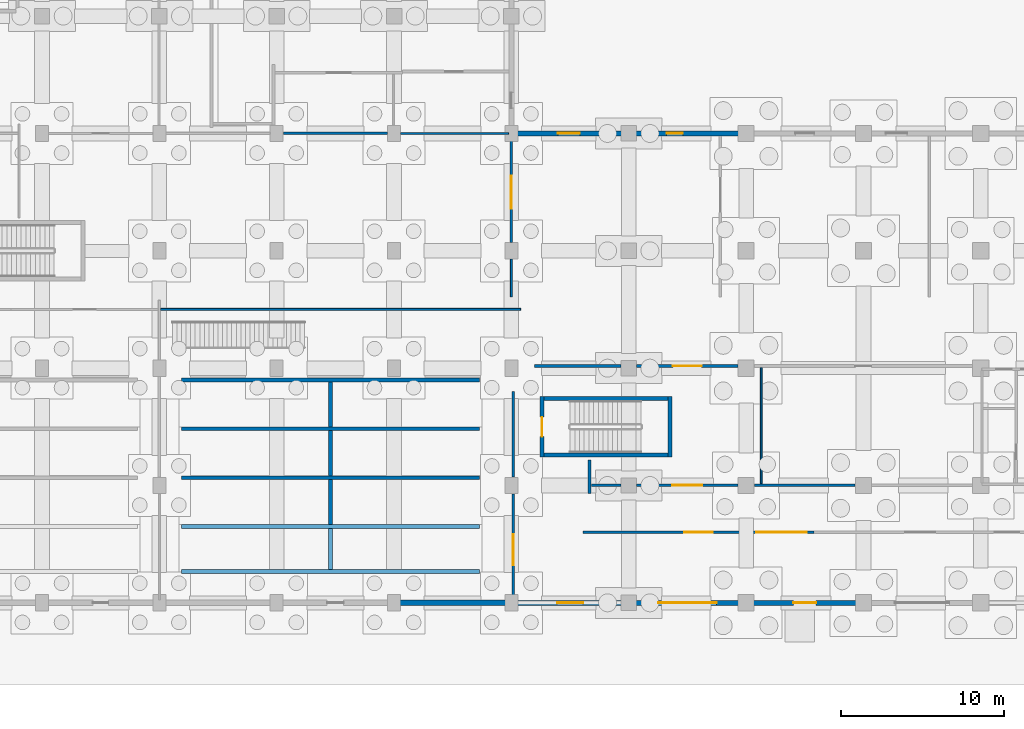
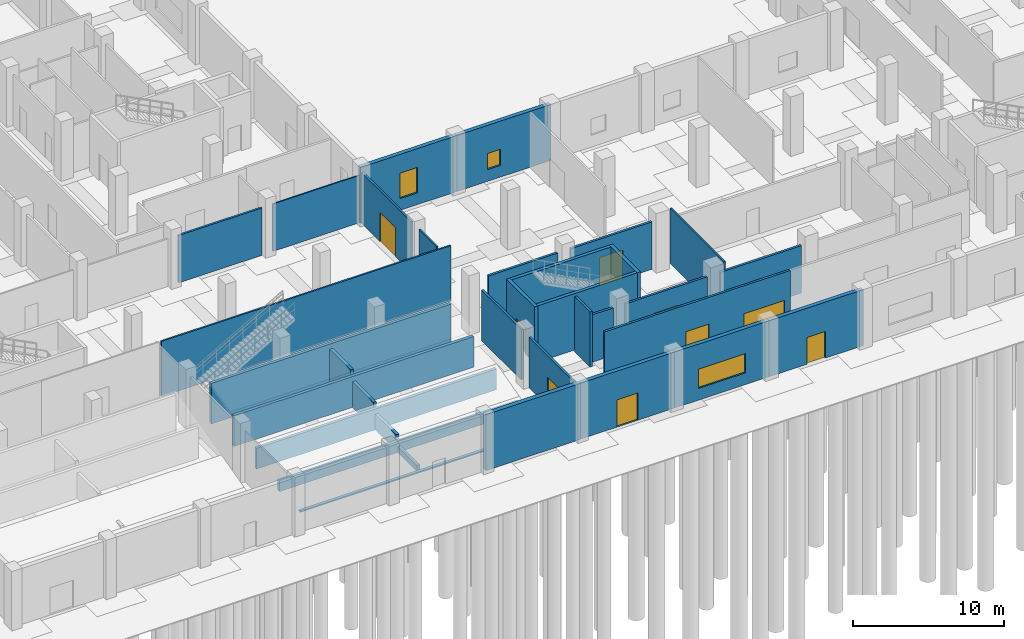
# One storey, part 19 of 48: 34 walls, 8 doors, 4 windows, 12 openings.
"""IFC4 building model written with IfcOpenShell, lengths in metres."""

from ifc_helpers import new_model, si_unit, direction, frame, frame_2d, origin, place, context, subcontext, project, spatial, rectangle, extrude, material, layer, layer_set, type_object, element, fill, save


model = new_model("IFC4")

# Units and contexts
model_context = context("Model", 3, precision=1e-05, world=origin(), true_north=direction((0.0, 1.0)))
body_context = subcontext(model_context, "Body", "Model", "MODEL_VIEW")
ifc_project = project(units=[si_unit("LENGTHUNIT", "METRE"), si_unit("AREAUNIT", "SQUARE_METRE"), si_unit("VOLUMEUNIT", "CUBIC_METRE"), si_unit("PLANEANGLEUNIT", "RADIAN"), si_unit("MASSUNIT", "GRAM", prefix="KILO")], contexts=[model_context])

# Site, building, storey
site_placement = place(None, origin())
site = spatial("IfcSite", under=ifc_project, at=site_placement, CompositionType="ELEMENT")
building_placement = place(site_placement, origin())
building = spatial("IfcBuilding", under=site, at=building_placement, Name="Seraya Terrace Polytechnic", CompositionType="ELEMENT")
storey_placement = place(building_placement, origin())
storey = spatial("IfcBuildingStorey", under=building, at=storey_placement, Name="L00", CompositionType="ELEMENT", Elevation=0.0)

# Wall, opening, door
ifc_material_1 = material(Name="Concrete C40/50", Category="concrete")
ifc_layer_1 = layer(ifc_material_1, 0.300048828125, Name="EW-01")
ifc_layer_set_1 = layer_set([ifc_layer_1], Name="Concrete C40/50")
wall_type_1 = type_object("IfcWallType", Name="EW-01", PredefinedType="SOLIDWALL", material=ifc_layer_set_1)
wall_1_placement = place(storey_placement, frame((64.800048828125, 0.0, 0.0), z_axis=(0.0, 0.0, 1.0), x_axis=(-1.0, 0.0, 0.0)))
wall_1 = element("IfcWall", 1, at=wall_1_placement, inside=storey, type_object=wall_type_1, Name="Exterior structural wall EW-01 L00", PredefinedType="SOLIDWALL", context=body_context, shape_type="SweptSolid", body=[
    extrude(rectangle(XDim=7.199951171875, YDim=0.300048828125, at=frame_2d((3.60009765625, 0.0))), origin(), (0.0, 0.0, 1.0), 4.52001953125),
])
opening_1_placement = place(wall_1_placement, frame((2.89990234375, 0.0, 0.0)))
opening_1 = element("IfcOpeningElement", 2, at=opening_1_placement, cuts=wall_1, Name="Opening ED-05", PredefinedType="OPENING", context=body_context, shape_type="SweptSolid", body=[
    extrude(rectangle(XDim=1.39990234375, YDim=2.14990234375, at=frame_2d((0.699951171875, 1.074951171875))), frame((0.0, 0.162109375, 0.0), z_axis=(0.0, -1.0, 0.0), x_axis=(1.0, 0.0, 0.0)), (0.0, 0.0, 1.0), 0.323974609375),
])
ifc_material_2 = material(Name="Anodised aluminium EN AW-6063 T6", Category="aluminium")
door_type_1 = type_object("IfcDoorType", Name="ED-05", OperationType="DOUBLE_DOOR_SINGLE_SWING", PredefinedType="DOOR", material=ifc_material_2)
door_1_placement = place(opening_1_placement, origin())
door_1 = element("IfcDoor", 3, at=door_1_placement, inside=storey, type_object=door_type_1, Name="Door ED-05 DR-EXIT-L00-029 in WL-EXT-L00-08-14", OperationType="DOUBLE_DOOR_SINGLE_SWING", OverallHeight=2.14990234375, OverallWidth=1.39990234375, PredefinedType="DOOR", context=body_context, shape_type="SweptSolid", body=[
    extrude(rectangle(XDim=1.39990234375, YDim=2.14990234375, at=frame_2d((0.699951171875, 1.074951171875))), frame((0.0, 0.02490234375, 0.0), z_axis=(0.0, -1.0, 0.0), x_axis=(1.0, 0.0, 0.0)), (0.0, 0.0, 1.0), 0.050048828125),
])
fill(opening_1, door_1)

# Wall, opening, window
wall_2_placement = place(storey_placement, frame((57.60009765625, 0.0, 0.0), z_axis=(0.0, 0.0, 1.0), x_axis=(-1.0, 0.0, 0.0)))
wall_2 = element("IfcWall", 4, at=wall_2_placement, inside=storey, type_object=wall_type_1, Name="Exterior structural wall EW-01 L00", PredefinedType="SOLIDWALL", context=body_context, shape_type="SweptSolid", body=[
    extrude(rectangle(XDim=7.2001953125, YDim=0.300048828125, at=frame_2d((3.60009765625, 0.0))), origin(), (0.0, 0.0, 1.0), 4.52001953125),
])
opening_2_placement = place(wall_2_placement, frame((1.800048828125, 0.0, 0.949951171875)))
opening_2 = element("IfcOpeningElement", 5, at=opening_2_placement, cuts=wall_2, Name="Opening WN-26", PredefinedType="OPENING", context=body_context, shape_type="SweptSolid", body=[
    extrude(rectangle(XDim=3.60009765625, YDim=1.550048828125, at=frame_2d((1.800048828125, 0.77490234375))), frame((0.0, 0.162109375, 0.0), z_axis=(0.0, -1.0, 0.0), x_axis=(1.0, 0.0, 0.0)), (0.0, 0.0, 1.0), 0.323974609375),
])
ifc_material_3 = material(Name="Laminated solar-control Low-E double glazing", Category="glass")
window_type_1 = type_object("IfcWindowType", Name="WN-26", PartitioningType="SINGLE_PANEL", PredefinedType="WINDOW", material=ifc_material_3)
window_1_placement = place(opening_2_placement, origin())
window_1 = element("IfcWindow", 6, at=window_1_placement, inside=storey, type_object=window_type_1, Name="Exterior window WN-26 L00", OverallHeight=1.550048828125, OverallWidth=3.60009765625, PartitioningType="SINGLE_PANEL", PredefinedType="WINDOW", context=body_context, shape_type="SweptSolid", body=[
    extrude(rectangle(XDim=3.60009765625, YDim=1.550048828125, at=frame_2d((1.800048828125, 0.77490234375))), frame((0.0, 0.030029296875, 0.0), z_axis=(0.0, -1.0, 0.0), x_axis=(1.0, 0.0, 0.0)), (0.0, 0.0, 1.0), 0.06005859375),
])
fill(opening_2, window_1)

# Wall, opening, door
wall_3_placement = place(storey_placement, frame((50.39990234375, 0.0, 0.0), z_axis=(0.0, 0.0, 1.0), x_axis=(-1.0, 0.0, 0.0)))
wall_3 = element("IfcWall", 7, at=wall_3_placement, inside=storey, type_object=wall_type_1, Name="Exterior structural wall EW-01 L00", PredefinedType="SOLIDWALL", context=body_context, shape_type="SweptSolid", body=[
    extrude(rectangle(XDim=7.199951171875, YDim=0.300048828125, at=frame_2d((3.60009765625, 0.0))), origin(), (0.0, 0.0, 1.0), 4.52001953125),
])
opening_3_placement = place(wall_3_placement, frame((2.800048828125, 0.0, 0.0)))
opening_3 = element("IfcOpeningElement", 8, at=opening_3_placement, cuts=wall_3, Name="Opening ED-03", PredefinedType="OPENING", context=body_context, shape_type="SweptSolid", body=[
    extrude(rectangle(XDim=1.60009765625, YDim=2.199951171875, at=frame_2d((0.800048828125, 1.10009765625))), frame((0.0, 0.162109375, 0.0), z_axis=(0.0, -1.0, 0.0), x_axis=(1.0, 0.0, 0.0)), (0.0, 0.0, 1.0), 0.323974609375),
])
door_type_2 = type_object("IfcDoorType", Name="ED-03", OperationType="DOUBLE_DOOR_SINGLE_SWING", PredefinedType="DOOR", material=ifc_material_2)
door_2_placement = place(opening_3_placement, origin())
door_2 = element("IfcDoor", 9, at=door_2_placement, inside=storey, type_object=door_type_2, Name="Door ED-03 DR-STEXIT-ST-03 in WL-EXT-L00-08-16", OperationType="DOUBLE_DOOR_SINGLE_SWING", OverallHeight=2.199951171875, OverallWidth=1.60009765625, PredefinedType="DOOR", context=body_context, shape_type="SweptSolid", body=[
    extrude(rectangle(XDim=1.60009765625, YDim=2.199951171875, at=frame_2d((0.800048828125, 1.10009765625))), frame((0.0, 0.02490234375, 0.0), z_axis=(0.0, -1.0, 0.0), x_axis=(1.0, 0.0, 0.0)), (0.0, 0.0, 1.0), 0.050048828125),
])
fill(opening_3, door_2)

# Wall, opening, window
wall_4_placement = place(storey_placement, frame((43.050048828125, 28.800048828125, 0.0), z_axis=(0.0, 0.0, 1.0), x_axis=(1.0, 0.0, 0.0)))
wall_4 = element("IfcWall", 10, at=wall_4_placement, inside=storey, type_object=wall_type_1, Name="Exterior structural wall EW-01 L00", PredefinedType="SOLIDWALL", context=body_context, shape_type="SweptSolid", body=[
    extrude(rectangle(XDim=7.349853515625, YDim=0.300048828125, at=frame_2d((3.6748046875, 0.0))), origin(), (0.0, 0.0, 1.0), 4.52001953125),
])
opening_4_placement = place(wall_4_placement, frame((3.0, 0.0, 0.949951171875)))
opening_4 = element("IfcOpeningElement", 11, at=opening_4_placement, cuts=wall_4, Name="Opening WN-38", PredefinedType="OPENING", context=body_context, shape_type="SweptSolid", body=[
    extrude(rectangle(XDim=1.35009765625, YDim=2.050048828125, at=frame_2d((0.675048828125, 1.02490234375))), frame((0.0, 0.162109375, 0.0), z_axis=(0.0, -1.0, 0.0), x_axis=(1.0, 0.0, 0.0)), (0.0, 0.0, 1.0), 0.323974609375),
])
window_type_2 = type_object("IfcWindowType", Name="WN-38", PartitioningType="SINGLE_PANEL", PredefinedType="WINDOW", material=ifc_material_3)
window_2_placement = place(opening_4_placement, origin())
window_2 = element("IfcWindow", 12, at=window_2_placement, inside=storey, type_object=window_type_2, Name="Exterior window WN-38 L00", OverallHeight=2.050048828125, OverallWidth=1.35009765625, PartitioningType="SINGLE_PANEL", PredefinedType="WINDOW", context=body_context, shape_type="SweptSolid", body=[
    extrude(rectangle(XDim=1.35009765625, YDim=2.050048828125, at=frame_2d((0.675048828125, 1.02490234375))), frame((0.0, 0.030029296875, 0.0), z_axis=(0.0, -1.0, 0.0), x_axis=(1.0, 0.0, 0.0)), (0.0, 0.0, 1.0), 0.06005859375),
])
fill(opening_4, window_2)

wall_5_placement = place(storey_placement, frame((50.39990234375, 28.800048828125, 0.0), z_axis=(0.0, 0.0, 1.0), x_axis=(1.0, 0.0, 0.0)))
wall_5 = element("IfcWall", 13, at=wall_5_placement, inside=storey, type_object=wall_type_1, Name="Exterior structural wall EW-01 L00", PredefinedType="SOLIDWALL", context=body_context, shape_type="SweptSolid", body=[
    extrude(rectangle(XDim=7.2001953125, YDim=0.300048828125, at=frame_2d((3.60009765625, 0.0))), origin(), (0.0, 0.0, 1.0), 4.52001953125),
])
opening_5_placement = place(wall_5_placement, frame((2.322265625, 0.0, 0.949951171875)))
opening_5 = element("IfcOpeningElement", 14, at=opening_5_placement, cuts=wall_5, Name="Opening WN-01", PredefinedType="OPENING", context=body_context, shape_type="SweptSolid", body=[
    extrude(rectangle(XDim=1.0, YDim=1.300048828125, at=frame_2d((0.5, 0.64990234375))), frame((0.0, 0.162109375, 0.0), z_axis=(0.0, -1.0, 0.0), x_axis=(1.0, 0.0, 0.0)), (0.0, 0.0, 1.0), 0.323974609375),
])
window_type_3 = type_object("IfcWindowType", Name="WN-01", PartitioningType="SINGLE_PANEL", PredefinedType="WINDOW", material=ifc_material_3)
window_3_placement = place(opening_5_placement, origin())
window_3 = element("IfcWindow", 15, at=window_3_placement, inside=storey, type_object=window_type_3, Name="Exterior window WN-01 L00", OverallHeight=1.300048828125, OverallWidth=1.0, PartitioningType="SINGLE_PANEL", PredefinedType="WINDOW", context=body_context, shape_type="SweptSolid", body=[
    extrude(rectangle(XDim=1.0, YDim=1.300048828125, at=frame_2d((0.5, 0.64990234375))), frame((0.0, 0.030029296875, 0.0), z_axis=(0.0, -1.0, 0.0), x_axis=(1.0, 0.0, 0.0)), (0.0, 0.0, 1.0), 0.06005859375),
])
fill(opening_5, window_3)

# Wall
ifc_layer_2 = layer(ifc_material_1, 0.330078125, Name="EW-06")
ifc_layer_set_2 = layer_set([ifc_layer_2], Name="Concrete C40/50")
wall_type_2 = type_object("IfcWallType", Name="EW-06", PredefinedType="SOLIDWALL", material=ifc_layer_set_2)
wall_6_placement = place(storey_placement, frame((43.199951171875, 0.0, 0.0), z_axis=(0.0, 0.0, 1.0), x_axis=(-1.0, 0.0, 0.0)))
element("IfcWall", 16, at=wall_6_placement, inside=storey, type_object=wall_type_2, Name="Exterior structural wall EW-06 L00", PredefinedType="SOLIDWALL", context=body_context, shape_type="SweptSolid", body=[
    extrude(rectangle(XDim=7.199951171875, YDim=0.330078125, at=frame_2d((3.60009765625, 0.0))), origin(), (0.0, 0.0, 1.0), 4.52001953125),
])

# Wall, opening, door
ifc_material_4 = material(Name="Autoclaved aerated concrete blockwork", Category="masonry")
ifc_layer_3 = layer(ifc_material_4, 0.169921875, Name="PT-02")
ifc_layer_set_3 = layer_set([ifc_layer_3], Name="Autoclaved aerated concrete blockwork")
wall_type_3 = type_object("IfcWallType", Name="PT-02", PredefinedType="PARTITIONING", material=ifc_layer_set_3)
wall_7_placement = place(storey_placement, frame((43.31005859375, 0.162109375, 0.0), z_axis=(0.0, 0.0, 1.0), x_axis=(0.0, 1.0, 0.0)))
wall_7 = element("IfcWall", 17, at=wall_7_placement, inside=storey, type_object=wall_type_3, Name="Internal partition PT-02 L00", PredefinedType="PARTITIONING", context=body_context, shape_type="SweptSolid", body=[
    extrude(rectangle(XDim=6.52783203125, YDim=0.169921875, at=frame_2d((3.263916015625, 0.0))), origin(), (0.0, 0.0, 1.0), 4.080078125),
])
opening_6_placement = place(wall_7_placement, frame((2.1298828125, 0.0, 0.0)))
opening_6 = element("IfcOpeningElement", 18, at=opening_6_placement, cuts=wall_7, Name="Opening ID-16", PredefinedType="OPENING", context=body_context, shape_type="SweptSolid", body=[
    extrude(rectangle(XDim=1.919921875, YDim=2.320068359375, at=frame_2d((0.9599609375, 1.16015625))), frame((0.0, 0.096923828125, 0.0), z_axis=(0.0, -1.0, 0.0), x_axis=(1.0, 0.0, 0.0)), (0.0, 0.0, 1.0), 0.19384765625),
])
ifc_material_5 = material(Name="Malaysian dark red meranti hardwood timber D40", Category="wood")
door_type_3 = type_object("IfcDoorType", Name="ID-16", OperationType="DOUBLE_DOOR_SINGLE_SWING", PredefinedType="DOOR", material=ifc_material_5)
door_3_placement = place(opening_6_placement, frame((1.919921875, 0.0, 0.0), z_axis=(0.0, 0.0, 1.0), x_axis=(-1.0, 0.0, 0.0)))
door_3 = element("IfcDoor", 19, at=door_3_placement, inside=storey, type_object=door_type_3, Name="Door ID-16 DR-INT-L00-0045 in WL-INT-L00-0003", OperationType="DOUBLE_DOOR_SINGLE_SWING", OverallHeight=2.320068359375, OverallWidth=1.919921875, PredefinedType="DOOR", context=body_context, shape_type="SweptSolid", body=[
    extrude(rectangle(XDim=1.919921875, YDim=2.320068359375, at=frame_2d((0.9599609375, 1.16015625))), frame((0.0, 0.02490234375, 0.0), z_axis=(0.0, -1.0, 0.0), x_axis=(1.0, 0.0, 0.0)), (0.0, 0.0, 1.0), 0.050048828125),
])
fill(opening_6, door_3)

# Walls
wall_8_placement = place(storey_placement, frame((43.31005859375, 7.7099609375, 0.0), z_axis=(0.0, 0.0, 1.0), x_axis=(0.0, 1.0, 0.0)))
element("IfcWall", 20, at=wall_8_placement, inside=storey, type_object=wall_type_3, Name="Internal partition PT-02 L00", PredefinedType="PARTITIONING", context=body_context, shape_type="SweptSolid", body=[
    extrude(rectangle(XDim=5.25, YDim=0.169921875, at=frame_2d((2.625, 0.0))), origin(), (0.0, 0.0, 1.0), 4.080078125),
])
wall_9_placement = place(storey_placement, frame((48.0, 6.718505859375, 0.0), z_axis=(0.0, 0.0, 1.0), x_axis=(0.0, 1.0, 0.0)))
element("IfcWall", 21, at=wall_9_placement, inside=storey, type_object=wall_type_3, Name="Internal partition PT-02 L00", PredefinedType="PARTITIONING", context=body_context, shape_type="SweptSolid", body=[
    extrude(rectangle(XDim=2.051513671875, YDim=0.169921875, at=frame_2d((1.02587890625, 0.0))), origin(), (0.0, 0.0, 1.0), 4.4599609375),
])

# Wall, opening, door
wall_10_placement = place(storey_placement, frame((50.885009765625, 14.530029296875, 0.0), z_axis=(0.0, 0.0, 1.0), x_axis=(1.0, 0.0, 0.0)))
wall_10 = element("IfcWall", 22, at=wall_10_placement, inside=storey, type_object=wall_type_3, Name="Internal partition PT-02 L00", PredefinedType="PARTITIONING", context=body_context, shape_type="SweptSolid", body=[
    extrude(rectangle(XDim=6.205078125, YDim=0.169921875, at=frame_2d((3.1025390625, 0.0))), origin(), (0.0, 0.0, 1.0), 3.830078125),
])
opening_7_placement = place(wall_10_placement, frame((2.222412109375, 0.0, 0.0)))
opening_7 = element("IfcOpeningElement", 23, at=opening_7_placement, cuts=wall_10, Name="Opening ID-14", PredefinedType="OPENING", context=body_context, shape_type="SweptSolid", body=[
    extrude(rectangle(XDim=1.760009765625, YDim=2.300048828125, at=frame_2d((0.8798828125, 1.14990234375))), frame((0.0, 0.096923828125, 0.0), z_axis=(0.0, -1.0, 0.0), x_axis=(1.0, 0.0, 0.0)), (0.0, 0.0, 1.0), 0.19384765625),
])
door_type_4 = type_object("IfcDoorType", Name="ID-14", OperationType="DOUBLE_DOOR_SINGLE_SWING", PredefinedType="DOOR", material=ifc_material_5)
door_4_placement = place(opening_7_placement, frame((1.760009765625, 0.0, 0.0), z_axis=(0.0, 0.0, 1.0), x_axis=(-1.0, 0.0, 0.0)))
door_4 = element("IfcDoor", 24, at=door_4_placement, inside=storey, type_object=door_type_4, Name="Door ID-14 DR-INT-L00-0043 in WL-INT-L00-0041", OperationType="DOUBLE_DOOR_SINGLE_SWING", OverallHeight=2.300048828125, OverallWidth=1.760009765625, PredefinedType="DOOR", context=body_context, shape_type="SweptSolid", body=[
    extrude(rectangle(XDim=1.760009765625, YDim=2.300048828125, at=frame_2d((0.8798828125, 1.14990234375))), frame((0.0, 0.02490234375, 0.0), z_axis=(0.0, -1.0, 0.0), x_axis=(1.0, 0.0, 0.0)), (0.0, 0.0, 1.0), 0.050048828125),
])
fill(opening_7, door_4)

# Wall
wall_11_placement = place(storey_placement, frame((44.6298828125, 14.530029296875, 0.0), z_axis=(0.0, 0.0, 1.0), x_axis=(1.0, 0.0, 0.0)))
element("IfcWall", 25, at=wall_11_placement, inside=storey, type_object=wall_type_3, Name="Internal partition PT-02 L00", PredefinedType="PARTITIONING", context=body_context, shape_type="SweptSolid", body=[
    extrude(rectangle(XDim=5.28515625, YDim=0.169921875, at=frame_2d((2.642578125, 0.0))), origin(), (0.0, 0.0, 1.0), 3.830078125),
])

# Wall, openings, door, window
wall_12_placement = place(storey_placement, frame((47.587890625, 4.330078125, 0.0), z_axis=(0.0, 0.0, 1.0), x_axis=(1.0, 0.0, 0.0)))
wall_12 = element("IfcWall", 26, at=wall_12_placement, inside=storey, type_object=wall_type_3, Name="Internal partition PT-02 L00", PredefinedType="PARTITIONING", context=body_context, shape_type="SweptSolid", body=[
    extrude(rectangle(XDim=14.172119140625, YDim=0.169921875, at=frame_2d((7.0859375, 0.0))), origin(), (0.0, 0.0, 1.0), 4.4599609375),
])
opening_8_placement = place(wall_12_placement, frame((6.2060546875, 0.0, 0.0)))
opening_8 = element("IfcOpeningElement", 27, at=opening_8_placement, cuts=wall_12, Name="Opening ID-14", PredefinedType="OPENING", context=body_context, shape_type="SweptSolid", body=[
    extrude(rectangle(XDim=1.760009765625, YDim=2.300048828125, at=frame_2d((0.8798828125, 1.14990234375))), frame((0.0, 0.096923828125, 0.0), z_axis=(0.0, -1.0, 0.0), x_axis=(1.0, 0.0, 0.0)), (0.0, 0.0, 1.0), 0.19384765625),
])
opening_9_placement = place(wall_12_placement, frame((10.6220703125, 0.0, 1.050048828125)))
opening_9 = element("IfcOpeningElement", 28, at=opening_9_placement, cuts=wall_12, Name="Opening IW-06", PredefinedType="OPENING", context=body_context, shape_type="SweptSolid", body=[
    extrude(rectangle(XDim=3.10009765625, YDim=1.14990234375, at=frame_2d((1.550048828125, 0.574951171875))), frame((0.0, 0.096923828125, 0.0), z_axis=(0.0, -1.0, 0.0), x_axis=(1.0, 0.0, 0.0)), (0.0, 0.0, 1.0), 0.19384765625),
])
door_5_placement = place(opening_8_placement, frame((1.760009765625, 0.0, 0.0), z_axis=(0.0, 0.0, 1.0), x_axis=(-1.0, 0.0, 0.0)))
door_5 = element("IfcDoor", 29, at=door_5_placement, inside=storey, type_object=door_type_4, Name="Door ID-14 DR-INT-L00-0059 in WL-INT-L00-0053", OperationType="DOUBLE_DOOR_SINGLE_SWING", OverallHeight=2.300048828125, OverallWidth=1.760009765625, PredefinedType="DOOR", context=body_context, shape_type="SweptSolid", body=[
    extrude(rectangle(XDim=1.760009765625, YDim=2.300048828125, at=frame_2d((0.8798828125, 1.14990234375))), frame((0.0, 0.02490234375, 0.0), z_axis=(0.0, -1.0, 0.0), x_axis=(1.0, 0.0, 0.0)), (0.0, 0.0, 1.0), 0.050048828125),
])
fill(opening_8, door_5)
window_type_4 = type_object("IfcWindowType", Name="IW-06", PartitioningType="SINGLE_PANEL", PredefinedType="WINDOW", material=ifc_material_3)
window_4_placement = place(opening_9_placement, origin())
window_4 = element("IfcWindow", 30, at=window_4_placement, inside=storey, type_object=window_type_4, Name="Internal lab vision window IW-06 L00", OverallHeight=1.14990234375, OverallWidth=3.10009765625, PartitioningType="SINGLE_PANEL", PredefinedType="WINDOW", context=body_context, shape_type="SweptSolid", body=[
    extrude(rectangle(XDim=3.10009765625, YDim=1.14990234375, at=frame_2d((1.550048828125, 0.574951171875))), frame((0.0, 0.030029296875, 0.0), z_axis=(0.0, -1.0, 0.0), x_axis=(1.0, 0.0, 0.0)), (0.0, 0.0, 1.0), 0.06005859375),
])
fill(opening_9, window_4)

# Wall, opening, door
wall_13_placement = place(storey_placement, frame((50.885009765625, 7.219970703125, 0.0), z_axis=(0.0, 0.0, 1.0), x_axis=(1.0, 0.0, 0.0)))
wall_13 = element("IfcWall", 31, at=wall_13_placement, inside=storey, type_object=wall_type_3, Name="Internal partition PT-02 L00", PredefinedType="PARTITIONING", context=body_context, shape_type="SweptSolid", body=[
    extrude(rectangle(XDim=6.205078125, YDim=0.169921875, at=frame_2d((3.1025390625, 0.0))), origin(), (0.0, 0.0, 1.0), 3.830078125),
])
opening_10_placement = place(wall_13_placement, frame((2.1826171875, 0.0, 0.0)))
opening_10 = element("IfcOpeningElement", 32, at=opening_10_placement, cuts=wall_13, Name="Opening ID-15", PredefinedType="OPENING", context=body_context, shape_type="SweptSolid", body=[
    extrude(rectangle(XDim=1.840087890625, YDim=2.300048828125, at=frame_2d((0.919921875, 1.14990234375))), frame((0.0, 0.096923828125, 0.0), z_axis=(0.0, -1.0, 0.0), x_axis=(1.0, 0.0, 0.0)), (0.0, 0.0, 1.0), 0.19384765625),
])
door_type_5 = type_object("IfcDoorType", Name="ID-15", OperationType="DOUBLE_DOOR_SINGLE_SWING", PredefinedType="DOOR", material=ifc_material_5)
door_6_placement = place(opening_10_placement, origin())
door_6 = element("IfcDoor", 33, at=door_6_placement, inside=storey, type_object=door_type_5, Name="Door ID-15 DR-INT-L00-0044 in WL-INT-L00-0055", OperationType="DOUBLE_DOOR_SINGLE_SWING", OverallHeight=2.300048828125, OverallWidth=1.840087890625, PredefinedType="DOOR", context=body_context, shape_type="SweptSolid", body=[
    extrude(rectangle(XDim=1.840087890625, YDim=2.300048828125, at=frame_2d((0.919921875, 1.14990234375))), frame((0.0, 0.02490234375, 0.0), z_axis=(0.0, -1.0, 0.0), x_axis=(1.0, 0.0, 0.0)), (0.0, 0.0, 1.0), 0.050048828125),
])
fill(opening_10, door_6)

# Walls
wall_14_placement = place(storey_placement, frame((48.10009765625, 7.219970703125, 0.0), z_axis=(0.0, 0.0, 1.0), x_axis=(1.0, 0.0, 0.0)))
element("IfcWall", 34, at=wall_14_placement, inside=storey, type_object=wall_type_3, Name="Internal partition PT-02 L00", PredefinedType="PARTITIONING", context=body_context, shape_type="SweptSolid", body=[
    extrude(rectangle(XDim=1.81494140625, YDim=0.169921875, at=frame_2d((0.907470703125, 0.0))), origin(), (0.0, 0.0, 1.0), 3.830078125),
])
wall_15_placement = place(storey_placement, frame((58.110107421875, 7.21923828125, 0.0), z_axis=(0.0, 0.0, 1.0), x_axis=(1.0, 0.0, 0.0)))
element("IfcWall", 35, at=wall_15_placement, inside=storey, type_object=wall_type_3, Name="Internal partition PT-02 L00", PredefinedType="PARTITIONING", context=body_context, shape_type="SweptSolid", body=[
    extrude(rectangle(XDim=6.179931640625, YDim=0.169921875, at=frame_2d((3.08984375, 0.0))), origin(), (0.0, 0.0, 1.0), 3.830078125),
])

# Wall, opening, door
ifc_layer_4 = layer(ifc_material_4, 0.14990234375, Name="PT-03")
ifc_layer_set_4 = layer_set([ifc_layer_4], Name="Autoclaved aerated concrete blockwork")
wall_type_4 = type_object("IfcWallType", Name="PT-03", PredefinedType="PARTITIONING", material=ifc_layer_set_4)
wall_16_placement = place(storey_placement, frame((43.199951171875, 22.110107421875, 0.0), z_axis=(0.0, 0.0, 1.0), x_axis=(0.0, 1.0, 0.0)))
wall_16 = element("IfcWall", 36, at=wall_16_placement, inside=storey, type_object=wall_type_4, Name="Internal partition PT-03 L00", PredefinedType="PARTITIONING", context=body_context, shape_type="SweptSolid", body=[
    extrude(rectangle(XDim=6.52783203125, YDim=0.14990234375, at=frame_2d((3.263916015625, 0.0))), origin(), (0.0, 0.0, 1.0), 4.080078125),
])
opening_11_placement = place(wall_16_placement, frame((2.070068359375, 0.0, 0.0)))
opening_11 = element("IfcOpeningElement", 37, at=opening_11_placement, cuts=wall_16, Name="Opening ID-17", PredefinedType="OPENING", context=body_context, shape_type="SweptSolid", body=[
    extrude(rectangle(XDim=2.0400390625, YDim=2.340087890625, at=frame_2d((1.02001953125, 1.169921875))), frame((0.0, 0.0869140625, 0.0), z_axis=(0.0, -1.0, 0.0), x_axis=(1.0, 0.0, 0.0)), (0.0, 0.0, 1.0), 0.173828125),
])
door_type_6 = type_object("IfcDoorType", Name="ID-17", OperationType="DOUBLE_DOOR_SINGLE_SWING", PredefinedType="DOOR", material=ifc_material_5)
door_7_placement = place(opening_11_placement, origin())
door_7 = element("IfcDoor", 38, at=door_7_placement, inside=storey, type_object=door_type_6, Name="Door ID-17 DR-INT-L00-0046 in WL-INT-L00-0133", OperationType="DOUBLE_DOOR_SINGLE_SWING", OverallHeight=2.340087890625, OverallWidth=2.0400390625, PredefinedType="DOOR", context=body_context, shape_type="SweptSolid", body=[
    extrude(rectangle(XDim=2.0400390625, YDim=2.340087890625, at=frame_2d((1.02001953125, 1.169921875))), frame((0.0, 0.02490234375, 0.0), z_axis=(0.0, -1.0, 0.0), x_axis=(1.0, 0.0, 0.0)), (0.0, 0.0, 1.0), 0.050048828125),
])
fill(opening_11, door_7)

# Walls
wall_17_placement = place(storey_placement, frame((29.2099609375, 28.800048828125, 0.0), z_axis=(0.0, 0.0, 1.0), x_axis=(1.0, 0.0, 0.0)))
element("IfcWall", 39, at=wall_17_placement, inside=storey, type_object=wall_type_4, Name="Internal partition PT-03 L00", PredefinedType="PARTITIONING", context=body_context, shape_type="SweptSolid", body=[
    extrude(rectangle(XDim=6.380126953125, YDim=0.14990234375, at=frame_2d((3.18994140625, 0.0))), origin(), (0.0, 0.0, 1.0), 3.830078125),
])
ifc_layer_5 = layer(ifc_material_4, 0.1201171875, Name="PT-05")
ifc_layer_set_5 = layer_set([ifc_layer_5], Name="Autoclaved aerated concrete blockwork")
wall_type_5 = type_object("IfcWallType", Name="PT-05", PredefinedType="PARTITIONING", material=ifc_layer_set_5)
wall_18_placement = place(storey_placement, frame((21.675048828125, 18.0, 0.0), z_axis=(0.0, 0.0, 1.0), x_axis=(1.0, 0.0, 0.0)))
element("IfcWall", 40, at=wall_18_placement, inside=storey, type_object=wall_type_5, Name="Internal partition PT-05 L00", PredefinedType="PARTITIONING", context=body_context, shape_type="SweptSolid", body=[
    extrude(rectangle(XDim=22.0849609375, YDim=0.1201171875, at=frame_2d((11.04248046875, 0.0))), origin(), (0.0, 0.0, 1.0), 4.4599609375),
])
wall_19_placement = place(storey_placement, frame((43.199951171875, 18.780029296875, 0.0), z_axis=(0.0, 0.0, 1.0), x_axis=(0.0, 1.0, 0.0)))
element("IfcWall", 41, at=wall_19_placement, inside=storey, type_object=wall_type_5, Name="Internal partition PT-05 L00", PredefinedType="PARTITIONING", context=body_context, shape_type="SweptSolid", body=[
    extrude(rectangle(XDim=2.31005859375, YDim=0.1201171875, at=frame_2d((1.155029296875, 0.0))), origin(), (0.0, 0.0, 1.0), 4.080078125),
])
wall_20_placement = place(storey_placement, frame((58.53173828125, 7.319091796875, 0.0), z_axis=(0.0, 0.0, 1.0), x_axis=(0.0, 1.0, 0.0)))
element("IfcWall", 42, at=wall_20_placement, inside=storey, type_object=wall_type_5, Name="Internal partition PT-05 L00", PredefinedType="PARTITIONING", context=body_context, shape_type="SweptSolid", body=[
    extrude(rectangle(XDim=7.11083984375, YDim=0.1201171875, at=frame_2d((3.555419921875, 0.0))), origin(), (0.0, 0.0, 1.0), 4.4599609375),
])
ifc_layer_6 = layer(ifc_material_4, 0.10009765625, Name="PT-06")
ifc_layer_set_6 = layer_set([ifc_layer_6], Name="Autoclaved aerated concrete blockwork")
wall_type_6 = type_object("IfcWallType", Name="PT-06", PredefinedType="PARTITIONING", material=ifc_layer_set_6)
wall_21_placement = place(storey_placement, frame((36.409912109375, 28.800048828125, 0.0), z_axis=(0.0, 0.0, 1.0), x_axis=(1.0, 0.0, 0.0)))
element("IfcWall", 43, at=wall_21_placement, inside=storey, type_object=wall_type_6, Name="Internal partition PT-06 L00", PredefinedType="PARTITIONING", context=body_context, shape_type="SweptSolid", body=[
    extrude(rectangle(XDim=6.628173828125, YDim=0.10009765625, at=frame_2d((3.31396484375, 0.0))), origin(), (0.0, 0.0, 1.0), 3.830078125),
])
ifc_layer_7 = layer(ifc_material_1, 0.22998046875, Name="RW-T1")
ifc_layer_set_7 = layer_set([ifc_layer_7], Name="Concrete C40/50")
wall_type_7 = type_object("IfcWallType", Name="RW-T1", PredefinedType="SOLIDWALL", material=ifc_layer_set_7)
wall_22_placement = place(storey_placement, frame((22.949951171875, 1.919921875, 0.0), z_axis=(0.0, 0.0, 1.0), x_axis=(1.0, 0.0, 0.0)))
element("IfcWall", 44, at=wall_22_placement, inside=storey, type_object=wall_type_7, Name="Lecture seating tier toe support wall LT2", PredefinedType="SOLIDWALL", context=body_context, shape_type="SweptSolid", body=[
    extrude(rectangle(XDim=18.300048828125, YDim=0.22998046875, at=frame_2d((9.14990234375, 0.0))), origin(), (0.0, 0.0, 1.0), 0.10009765625),
])
wall_23_placement = place(storey_placement, frame((22.949951171875, 4.679931640625, 0.0), z_axis=(0.0, 0.0, 1.0), x_axis=(1.0, 0.0, 0.0)))
element("IfcWall", 45, at=wall_23_placement, inside=storey, type_object=wall_type_7, Name="Lecture seating tier support wall LT2 bank 1", PredefinedType="SOLIDWALL", context=body_context, shape_type="SweptSolid", body=[
    extrude(rectangle(XDim=18.300048828125, YDim=0.22998046875, at=frame_2d((9.14990234375, 0.0))), origin(), (0.0, 0.0, 1.0), 0.8798828125),
])
wall_24_placement = place(storey_placement, frame((32.10009765625, 2.034912109375, 0.0), z_axis=(0.0, 0.0, 1.0), x_axis=(0.0, 1.0, 0.0)))
element("IfcWall", 46, at=wall_24_placement, inside=storey, type_object=wall_type_7, Name="Lecture seating tier spine wall LT2 bank 1", PredefinedType="SOLIDWALL", context=body_context, shape_type="SweptSolid", body=[
    extrude(rectangle(XDim=2.530029296875, YDim=0.22998046875, at=frame_2d((1.26513671875, 0.0))), origin(), (0.0, 0.0, 1.0), 0.47998046875),
])
wall_25_placement = place(storey_placement, frame((22.949951171875, 7.679931640625, 0.0), z_axis=(0.0, 0.0, 1.0), x_axis=(1.0, 0.0, 0.0)))
element("IfcWall", 47, at=wall_25_placement, inside=storey, type_object=wall_type_7, Name="Lecture seating tier support wall LT2 bank 2", PredefinedType="SOLIDWALL", context=body_context, shape_type="SweptSolid", body=[
    extrude(rectangle(XDim=18.300048828125, YDim=0.22998046875, at=frame_2d((9.14990234375, 0.0))), origin(), (0.0, 0.0, 1.0), 1.679931640625),
])
wall_26_placement = place(storey_placement, frame((32.10009765625, 4.794921875, 0.0), z_axis=(0.0, 0.0, 1.0), x_axis=(0.0, 1.0, 0.0)))
element("IfcWall", 48, at=wall_26_placement, inside=storey, type_object=wall_type_7, Name="Lecture seating tier spine wall LT2 bank 2", PredefinedType="SOLIDWALL", context=body_context, shape_type="SweptSolid", body=[
    extrude(rectangle(XDim=2.77001953125, YDim=0.22998046875, at=frame_2d((1.385009765625, 0.0))), origin(), (0.0, 0.0, 1.0), 1.280029296875),
])
wall_27_placement = place(storey_placement, frame((22.949951171875, 10.679931640625, 0.0), z_axis=(0.0, 0.0, 1.0), x_axis=(1.0, 0.0, 0.0)))
element("IfcWall", 49, at=wall_27_placement, inside=storey, type_object=wall_type_7, Name="Lecture seating tier support wall LT2 bank 3", PredefinedType="SOLIDWALL", context=body_context, shape_type="SweptSolid", body=[
    extrude(rectangle(XDim=18.300048828125, YDim=0.22998046875, at=frame_2d((9.14990234375, 0.0))), origin(), (0.0, 0.0, 1.0), 2.47998046875),
])
wall_28_placement = place(storey_placement, frame((32.10009765625, 7.794921875, 0.0), z_axis=(0.0, 0.0, 1.0), x_axis=(0.0, 1.0, 0.0)))
element("IfcWall", 50, at=wall_28_placement, inside=storey, type_object=wall_type_7, Name="Lecture seating tier spine wall LT2 bank 3", PredefinedType="SOLIDWALL", context=body_context, shape_type="SweptSolid", body=[
    extrude(rectangle(XDim=2.77001953125, YDim=0.22998046875, at=frame_2d((1.385009765625, 0.0))), origin(), (0.0, 0.0, 1.0), 2.080078125),
])
wall_29_placement = place(storey_placement, frame((22.949951171875, 13.679931640625, 0.0), z_axis=(0.0, 0.0, 1.0), x_axis=(1.0, 0.0, 0.0)))
element("IfcWall", 51, at=wall_29_placement, inside=storey, type_object=wall_type_7, Name="Lecture seating tier support wall LT2 bank 4", PredefinedType="SOLIDWALL", context=body_context, shape_type="SweptSolid", body=[
    extrude(rectangle(XDim=18.300048828125, YDim=0.22998046875, at=frame_2d((9.14990234375, 0.0))), origin(), (0.0, 0.0, 1.0), 3.280029296875),
])
wall_30_placement = place(storey_placement, frame((32.10009765625, 10.794921875, 0.0), z_axis=(0.0, 0.0, 1.0), x_axis=(0.0, 1.0, 0.0)))
element("IfcWall", 52, at=wall_30_placement, inside=storey, type_object=wall_type_7, Name="Lecture seating tier spine wall LT2 bank 4", PredefinedType="SOLIDWALL", context=body_context, shape_type="SweptSolid", body=[
    extrude(rectangle(XDim=2.77001953125, YDim=0.22998046875, at=frame_2d((1.385009765625, 0.0))), origin(), (0.0, 0.0, 1.0), 2.8798828125),
])

# Wall, opening, door
ifc_layer_8 = layer(ifc_material_1, 0.25, Name="SW-02")
ifc_layer_set_8 = layer_set([ifc_layer_8], Name="Concrete C40/50")
wall_type_8 = type_object("IfcWallType", Name="SW-02", PredefinedType="SHEAR", material=ifc_layer_set_8)
wall_31_placement = place(storey_placement, frame((45.074951171875, 8.949951171875, 0.0), z_axis=(0.0, 0.0, 1.0), x_axis=(0.0, 1.0, 0.0)))
wall_31 = element("IfcWall", 53, at=wall_31_placement, inside=storey, type_object=wall_type_8, Name="Stairwell ST-03 West wall L00", PredefinedType="SHEAR", context=body_context, shape_type="SweptSolid", body=[
    extrude(rectangle(XDim=3.699951171875, YDim=0.25, at=frame_2d((1.85009765625, 0.0))), origin(), (0.0, 0.0, 1.0), 4.550048828125),
])
opening_12_placement = place(wall_31_placement, frame((1.25, 0.0, 0.0)))
opening_12 = element("IfcOpeningElement", 54, at=opening_12_placement, cuts=wall_31, Name="Opening FD-01", PredefinedType="OPENING", context=body_context, shape_type="SweptSolid", body=[
    extrude(rectangle(XDim=1.199951171875, YDim=2.14990234375, at=frame_2d((0.60009765625, 1.074951171875))), frame((0.0, 0.136962890625, 0.0), z_axis=(0.0, -1.0, 0.0), x_axis=(1.0, 0.0, 0.0)), (0.0, 0.0, 1.0), 0.27392578125),
])
ifc_material_6 = material(Name="Steel S355J2", Category="steel")
door_type_7 = type_object("IfcDoorType", Name="FD-01", OperationType="NOTDEFINED", PredefinedType="DOOR", material=ifc_material_6)
door_8_placement = place(opening_12_placement, origin())
door_8 = element("IfcDoor", 55, at=door_8_placement, inside=storey, type_object=door_type_7, Name="Door FD-01 DR-STR-ST-03-L00 in WL-STR-ST-03-L00-W", OperationType="SINGLE_SWING_RIGHT", OverallHeight=2.14990234375, OverallWidth=1.199951171875, PredefinedType="DOOR", context=body_context, shape_type="SweptSolid", body=[
    extrude(rectangle(XDim=1.199951171875, YDim=2.14990234375, at=frame_2d((0.60009765625, 1.074951171875))), frame((0.0, 0.02490234375, 0.0), z_axis=(0.0, -1.0, 0.0), x_axis=(1.0, 0.0, 0.0)), (0.0, 0.0, 1.0), 0.050048828125),
])
fill(opening_12, door_8)

# Walls
wall_32_placement = place(storey_placement, frame((52.925048828125, 8.949951171875, 0.0), z_axis=(0.0, 0.0, 1.0), x_axis=(0.0, 1.0, 0.0)))
element("IfcWall", 56, at=wall_32_placement, inside=storey, type_object=wall_type_8, Name="Stairwell ST-03 East wall L00", PredefinedType="SHEAR", context=body_context, shape_type="SweptSolid", body=[
    extrude(rectangle(XDim=3.699951171875, YDim=0.25, at=frame_2d((1.85009765625, 0.0))), origin(), (0.0, 0.0, 1.0), 4.550048828125),
])
for number, where, z_axis, x_axis, name in (
    (57, (45.199951171875, 9.074951171875, 0.0), (0.0, 0.0, 1.0), (1.0, 0.0, 0.0), "Stairwell ST-03 South wall L00"),
    (58, (45.199951171875, 12.52490234375, 0.0), (0.0, 0.0, 1.0), (1.0, 0.0, 0.0), "Stairwell ST-03 North wall L00"),
):
    element("IfcWall", number, at=place(storey_placement, frame(where, z_axis=z_axis, x_axis=x_axis)), inside=storey, type_object=wall_type_8, Name=name, PredefinedType="SHEAR", context=body_context, shape_type="SweptSolid", body=[
        extrude(rectangle(XDim=7.60009765625, YDim=0.25, at=frame_2d((3.800048828125, 0.0))), origin(), (0.0, 0.0, 1.0), 4.550048828125),
    ])

save(model, "model.ifc")
